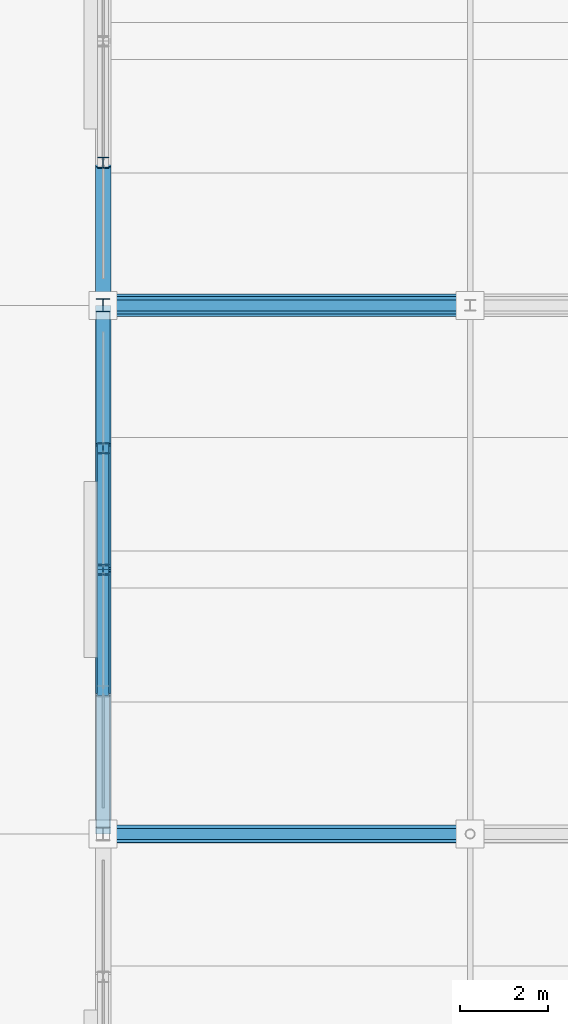
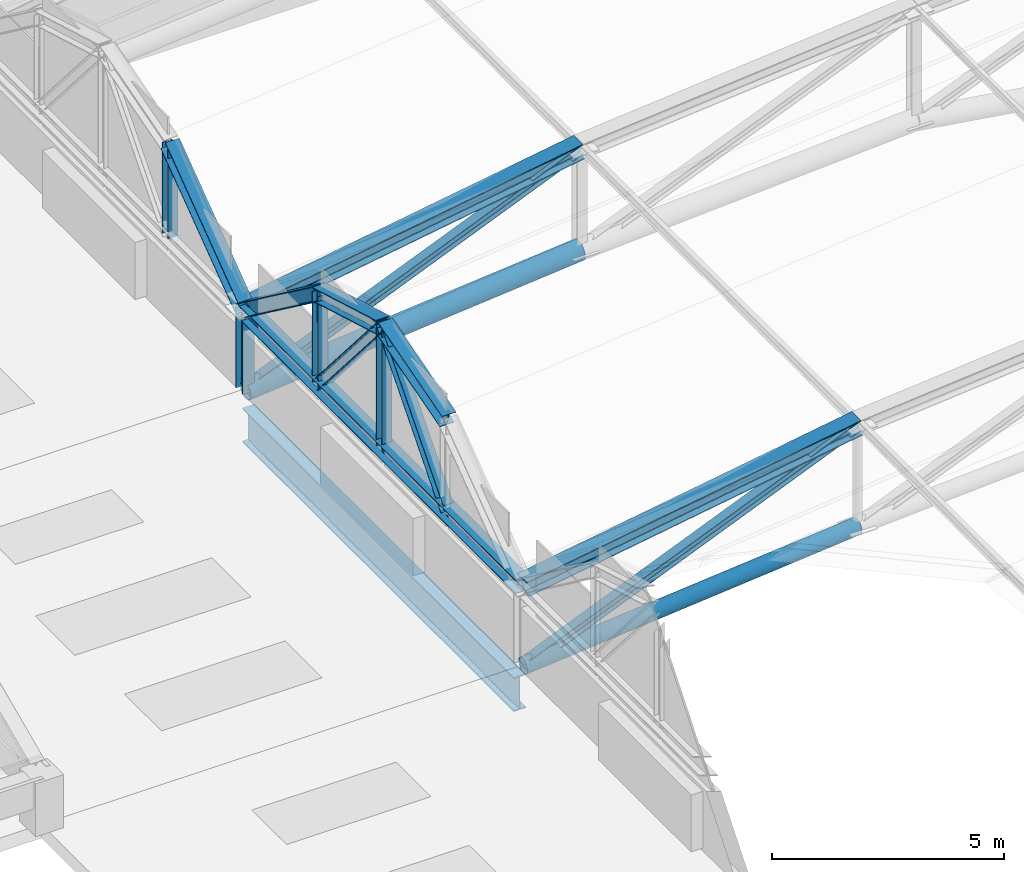
# One storey, part 37 of 117: 17 members, 1 beam.
"""IFC4 building model written with IfcOpenShell, lengths in metres."""

from ifc_helpers import new_model, si_unit, direction, frame, origin, origin_2d, place, context, subcontext, project, spatial, hollow_circle, i_section, extrude, material, material_profile, profile_set, type_object, element, save


model = new_model("IFC4")

# Units and contexts
model_context = context("Model", 3, precision=1e-05, world=origin(), true_north=direction((0.0, 1.0)))
body_context = subcontext(model_context, "Body", "Model", "MODEL_VIEW")
ifc_project = project(units=[si_unit("LENGTHUNIT", "METRE"), si_unit("AREAUNIT", "SQUARE_METRE"), si_unit("VOLUMEUNIT", "CUBIC_METRE"), si_unit("PLANEANGLEUNIT", "RADIAN"), si_unit("MASSUNIT", "GRAM", prefix="KILO")], contexts=[model_context])

# Site, building, storey
site_placement = place(None, origin())
site = spatial("IfcSite", under=ifc_project, at=site_placement, CompositionType="ELEMENT")
building_placement = place(site_placement, origin())
building = spatial("IfcBuilding", under=site, at=building_placement, Name="Kazenohara Klinker Stadium", CompositionType="ELEMENT")
storey_placement = place(building_placement, frame((0.0, 0.0, 31.199951171875)))
storey = spatial("IfcBuildingStorey", under=building, at=storey_placement, Name="RF", CompositionType="ELEMENT", Elevation=31.199951171875)

# Members
ifc_material = material(Name="Steel S355", Category="steel")
ifc_material_profile_1 = material_profile(ifc_material, i_section(OverallWidth=0.25, OverallDepth=0.25, WebThickness=0.009033203125, FlangeThickness=0.013916015625, FilletRadius=0.012939453125, at=origin_2d()), Name="H-250x250x9x14")
ifc_profile_set_1 = profile_set([ifc_material_profile_1], Name="Steel S355")
member_type_1 = type_object("IfcMemberType", Name="MEM-BRC02", PredefinedType="BRACE", material=ifc_profile_set_1)
for number, where, z_axis, x_axis, name in (
    (1, (24.0, 108.0, -0.02001953125), (0.923164118975, 0.0, 0.384406047608), (0.0, 1.0, 0.0), "ROOF TRUSS RT-W06 web diagonal 1"),
    (2, (24.0, 120.0, -0.02001953125), (0.923164118975, 0.0, 0.384406047608), (0.0, 1.0, 0.0), "ROOF TRUSS RT-W07 web diagonal 1"),
):
    element("IfcMember", number, at=place(storey_placement, frame(where, z_axis=z_axis, x_axis=x_axis)), inside=storey, type_object=member_type_1, Name=name, PredefinedType="BRACE", context=body_context, shape_type="SweptSolid", body=[
        extrude(i_section(OverallWidth=0.25, OverallDepth=0.25, WebThickness=0.009033203125, FlangeThickness=0.013916015625, FilletRadius=0.012939453125, at=origin_2d()), origin(), (0.0, 0.0, 1.0), 9.02685546875),
    ])
ifc_material_profile_2 = material_profile(ifc_material, i_section(OverallWidth=0.39990234375, OverallDepth=0.39990234375, WebThickness=0.012939453125, FlangeThickness=0.02099609375, FilletRadius=0.02197265625, at=origin_2d()), Name="H-400x400x13x21")
ifc_profile_set_2 = profile_set([ifc_material_profile_2], Name="Steel S355")
member_type_2 = type_object("IfcMemberType", Name="MEM-CHD01", PredefinedType="CHORD", material=ifc_profile_set_2)
for number, where, z_axis, x_axis, name in (
    (3, (24.0, 108.0, 2.10009765625), (0.987133250968, 0.0, 0.159899796227), (0.0, 1.0, 0.0), "ROOF TRUSS RT-W06 top arched chord 1"),
    (4, (24.0, 120.0, 2.10009765625), (0.987133250968, 0.0, 0.159899796227), (0.0, 1.0, 0.0), "ROOF TRUSS RT-W07 top arched chord 1"),
):
    element("IfcMember", number, at=place(storey_placement, frame(where, z_axis=z_axis, x_axis=x_axis)), inside=storey, type_object=member_type_2, Name=name, PredefinedType="CHORD", context=body_context, shape_type="SweptSolid", body=[
        extrude(i_section(OverallWidth=0.39990234375, OverallDepth=0.39990234375, WebThickness=0.012939453125, FlangeThickness=0.02099609375, FilletRadius=0.02197265625, at=origin_2d()), origin(), (0.0, 0.0, 1.0), 8.44189453125),
    ])
ifc_material_profile_3 = material_profile(ifc_material, i_section(OverallWidth=0.35009765625, OverallDepth=0.35009765625, WebThickness=0.011962890625, FlangeThickness=0.01904296875, FilletRadius=0.012939453125, at=origin_2d()), Name="H-350x350x12x19")
ifc_profile_set_3 = profile_set([ifc_material_profile_3], Name="Steel S355")
member_type_3 = type_object("IfcMemberType", Name="MEM-CHD02", PredefinedType="CHORD", material=ifc_profile_set_3)
member_1_placement = place(storey_placement, frame((24.0, 108.0, 2.10009765625), z_axis=(0.0, 1.0, 0.0), x_axis=(-1.0, 0.0, 0.0)))
element("IfcMember", 5, at=member_1_placement, inside=storey, type_object=member_type_3, Name="Barrel arch tie chord TC02 W-06-N0", PredefinedType="CHORD", context=body_context, shape_type="SweptSolid", body=[
    extrude(i_section(OverallWidth=0.35009765625, OverallDepth=0.35009765625, WebThickness=0.011962890625, FlangeThickness=0.01904296875, FilletRadius=0.012939453125, at=origin_2d()), origin(), (0.0, 0.0, 1.0), 12.0),
])
for number, where, z_axis, x_axis, name in (
    (6, (24.0, 111.239990234375, 4.5), (0.0, 0.960462085918, 0.27841081429), (-1.0, 0.0, 0.0), "Barrel arch top rib TC02 W-06-N0-S2"),
    (7, (24.0, 114.0, 5.300048828125), (0.0, 0.960462085918, -0.27841081429), (-1.0, 0.0, 0.0), "Barrel arch top rib TC02 W-06-N0-S3"),
):
    element("IfcMember", number, at=place(storey_placement, frame(where, z_axis=z_axis, x_axis=x_axis)), inside=storey, type_object=member_type_3, Name=name, PredefinedType="CHORD", context=body_context, shape_type="SweptSolid", body=[
        extrude(i_section(OverallWidth=0.35009765625, OverallDepth=0.35009765625, WebThickness=0.011962890625, FlangeThickness=0.01904296875, FilletRadius=0.012939453125, at=origin_2d()), origin(), (0.0, 0.0, 1.0), 2.87353515625),
    ])
for number, where, z_axis, x_axis, name in (
    (8, (24.0, 116.760009765625, 4.5), (0.0, 0.803567919639, -0.595213069856), (-1.0, 0.0, 0.0), "Barrel arch top rib TC02 W-06-N0-S4"),
    (9, (24.0, 120.0, 2.10009765625), (0.0, 0.803567919639, 0.595213069856), (-1.0, 0.0, 0.0), "Barrel arch top rib TC02 W-07-N0-S1"),
):
    element("IfcMember", number, at=place(storey_placement, frame(where, z_axis=z_axis, x_axis=x_axis)), inside=storey, type_object=member_type_3, Name=name, PredefinedType="CHORD", context=body_context, shape_type="SweptSolid", body=[
        extrude(i_section(OverallWidth=0.35009765625, OverallDepth=0.35009765625, WebThickness=0.011962890625, FlangeThickness=0.01904296875, FilletRadius=0.012939453125, at=origin_2d()), origin(), (0.0, 0.0, 1.0), 4.031982421875),
    ])
ifc_material_profile_4 = material_profile(ifc_material, hollow_circle(Radius=0.203125, WallThickness=0.011962890625, at=origin_2d()), Name="CHS-406.4x12")
ifc_profile_set_4 = profile_set([ifc_material_profile_4], Name="Steel S355")
member_type_4 = type_object("IfcMemberType", Name="MEM-CHD03", PredefinedType="CHORD", material=ifc_profile_set_4)
member_2_placement = place(storey_placement, frame((24.0, 108.0, -0.02001953125), z_axis=(0.995757965817, 0.0, 0.092011268397), x_axis=(0.0, 1.0, 0.0)))
element("IfcMember", 10, at=member_2_placement, inside=storey, type_object=member_type_4, Name="ROOF TRUSS RT-W06 bottom arched chord 1", PredefinedType="CHORD", context=body_context, shape_type="SweptSolid", body=[
    extrude(hollow_circle(Radius=0.203125, WallThickness=0.011962890625, at=origin_2d()), origin(), (0.0, 0.0, 1.0), 8.36865234375),
])
ifc_material_profile_5 = material_profile(ifc_material, hollow_circle(Radius=0.25390625, WallThickness=0.01611328125, at=origin_2d()), Name="CHS-508.0x16")
ifc_profile_set_5 = profile_set([ifc_material_profile_5], Name="Steel S355")
member_type_5 = type_object("IfcMemberType", Name="MEM-CHD04", PredefinedType="CHORD", material=ifc_profile_set_5)
member_3_placement = place(storey_placement, frame((24.0, 120.0, -0.02001953125), z_axis=(0.995757965817, 0.0, 0.092011268397), x_axis=(0.0, 1.0, 0.0)))
element("IfcMember", 11, at=member_3_placement, inside=storey, type_object=member_type_5, Name="ROOF TRUSS RT-W07 bottom arched chord 1", PredefinedType="CHORD", context=body_context, shape_type="SweptSolid", body=[
    extrude(hollow_circle(Radius=0.25390625, WallThickness=0.01611328125, at=origin_2d()), origin(), (0.0, 0.0, 1.0), 8.36865234375),
])
ifc_material_profile_6 = material_profile(ifc_material, i_section(OverallWidth=0.300048828125, OverallDepth=0.300048828125, WebThickness=0.010009765625, FlangeThickness=0.014892578125, FilletRadius=0.012939453125, at=origin_2d()), Name="H-300x300x10x15")
ifc_profile_set_6 = profile_set([ifc_material_profile_6], Name="Steel S355")
member_type_6 = type_object("IfcMemberType", Name="MEM-STR01", PredefinedType="STRUT", material=ifc_profile_set_6)
member_4_placement = place(storey_placement, frame((24.0, 120.0, -0.02001953125), z_axis=(0.0, 0.0, 1.0), x_axis=(1.0, 0.0, 0.0)))
element("IfcMember", 12, at=member_4_placement, inside=storey, type_object=member_type_6, Name="ROOF TRUSS RT-W07 web post 1", PredefinedType="STRUT", context=body_context, shape_type="SweptSolid", body=[
    extrude(i_section(OverallWidth=0.300048828125, OverallDepth=0.300048828125, WebThickness=0.010009765625, FlangeThickness=0.014892578125, FilletRadius=0.012939453125, at=origin_2d()), origin(), (0.0, 0.0, 1.0), 2.1201171875),
])
ifc_material_profile_7 = material_profile(ifc_material, i_section(OverallWidth=0.25, OverallDepth=0.25, WebThickness=0.009033203125, FlangeThickness=0.013916015625, FilletRadius=0.012939453125, at=origin_2d()), Name="H-250x250x9x14")
ifc_profile_set_7 = profile_set([ifc_material_profile_7], Name="Steel S355")
member_type_7 = type_object("IfcMemberType", Name="MEM-STR02", PredefinedType="STRUT", material=ifc_profile_set_7)
member_5_placement = place(storey_placement, frame((24.0, 114.0, 2.10009765625), z_axis=(0.0, 0.0, 1.0), x_axis=(1.0, 0.0, 0.0)))
element("IfcMember", 13, at=member_5_placement, inside=storey, type_object=member_type_7, Name="Barrel arch web post TS02 W-06-N0-P2", PredefinedType="STRUT", context=body_context, shape_type="SweptSolid", body=[
    extrude(i_section(OverallWidth=0.25, OverallDepth=0.25, WebThickness=0.009033203125, FlangeThickness=0.013916015625, FilletRadius=0.012939453125, at=origin_2d()), origin(), (0.0, 0.0, 1.0), 3.199951171875),
])
member_6_placement = place(storey_placement, frame((24.0, 116.760009765625, 2.10009765625), z_axis=(0.0, 0.0, 1.0), x_axis=(1.0, 0.0, 0.0)))
element("IfcMember", 14, at=member_6_placement, inside=storey, type_object=member_type_7, Name="Barrel arch web post TS02 W-06-N0-P3", PredefinedType="STRUT", context=body_context, shape_type="SweptSolid", body=[
    extrude(i_section(OverallWidth=0.25, OverallDepth=0.25, WebThickness=0.009033203125, FlangeThickness=0.013916015625, FilletRadius=0.012939453125, at=origin_2d()), origin(), (0.0, 0.0, 1.0), 2.39990234375),
])
for number, where, z_axis, x_axis, name in (
    (15, (24.0, 111.239990234375, 2.10009765625), (0.0, 0.653133887971, 0.757242447558), (-1.0, 0.0, 0.0), "Barrel arch web diagonal TS02 W-06-N0-D1"),
    (16, (24.0, 116.760009765625, 2.10009765625), (0.0, -0.653133887971, 0.757242447558), (1.0, 0.0, 0.0), "Barrel arch web diagonal TS02 W-06-N0-D2"),
):
    element("IfcMember", number, at=place(storey_placement, frame(where, z_axis=z_axis, x_axis=x_axis)), inside=storey, type_object=member_type_7, Name=name, PredefinedType="STRUT", context=body_context, shape_type="SweptSolid", body=[
        extrude(i_section(OverallWidth=0.25, OverallDepth=0.25, WebThickness=0.009033203125, FlangeThickness=0.013916015625, FilletRadius=0.012939453125, at=origin_2d()), origin(), (0.0, 0.0, 1.0), 4.225830078125),
    ])
member_7_placement = place(storey_placement, frame((24.0, 123.239990234375, 2.10009765625), z_axis=(0.0, 0.0, 1.0), x_axis=(1.0, 0.0, 0.0)))
element("IfcMember", 17, at=member_7_placement, inside=storey, type_object=member_type_7, Name="Barrel arch web post TS02 W-07-N0-P1", PredefinedType="STRUT", context=body_context, shape_type="SweptSolid", body=[
    extrude(i_section(OverallWidth=0.25, OverallDepth=0.25, WebThickness=0.009033203125, FlangeThickness=0.013916015625, FilletRadius=0.012939453125, at=origin_2d()), origin(), (0.0, 0.0, 1.0), 2.39990234375),
])

# Beam
ifc_material_profile_8 = material_profile(ifc_material, i_section(OverallWidth=0.300048828125, OverallDepth=0.89990234375, WebThickness=0.01611328125, FlangeThickness=0.028076171875, FilletRadius=0.02197265625, at=origin_2d()), Name="H-900x300x16x28")
ifc_profile_set_8 = profile_set([ifc_material_profile_8], Name="Steel S355")
beam_type = type_object("IfcBeamType", Name="RING-RB01", PredefinedType="USERDEFINED", material=ifc_profile_set_8)
beam_placement = place(storey_placement, frame((24.0, 108.139892578125, -0.820068359375), z_axis=(0.0, 1.0, 0.0), x_axis=(-1.0, 0.0, 0.0)))
element("IfcBeam", 18, at=beam_placement, inside=storey, type_object=beam_type, Name="Roof ring beam RB01 W-OUT K-L", ObjectType="RING BEAM", PredefinedType="USERDEFINED", context=body_context, shape_type="SweptSolid", body=[
    extrude(i_section(OverallWidth=0.300048828125, OverallDepth=0.89990234375, WebThickness=0.01611328125, FlangeThickness=0.028076171875, FilletRadius=0.02197265625, at=origin_2d()), origin(), (0.0, 0.0, 1.0), 11.72021484375),
])

save(model, "model.ifc")
